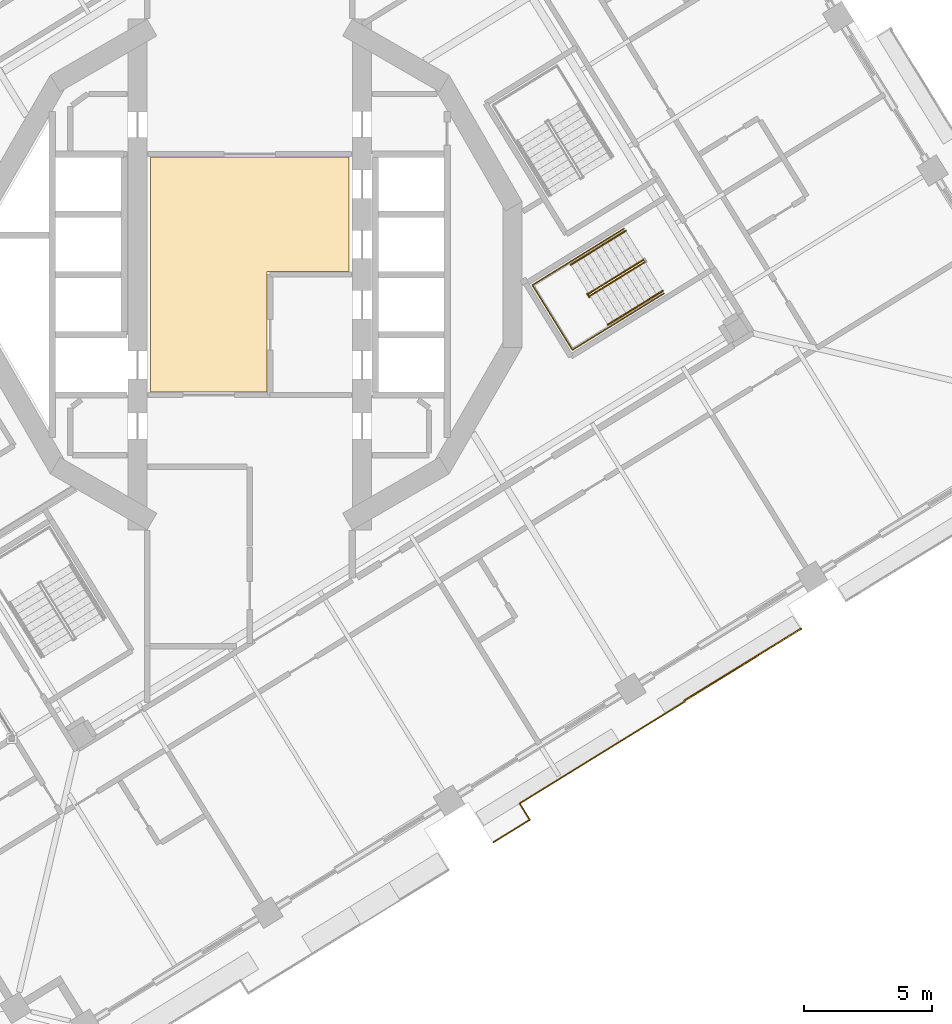
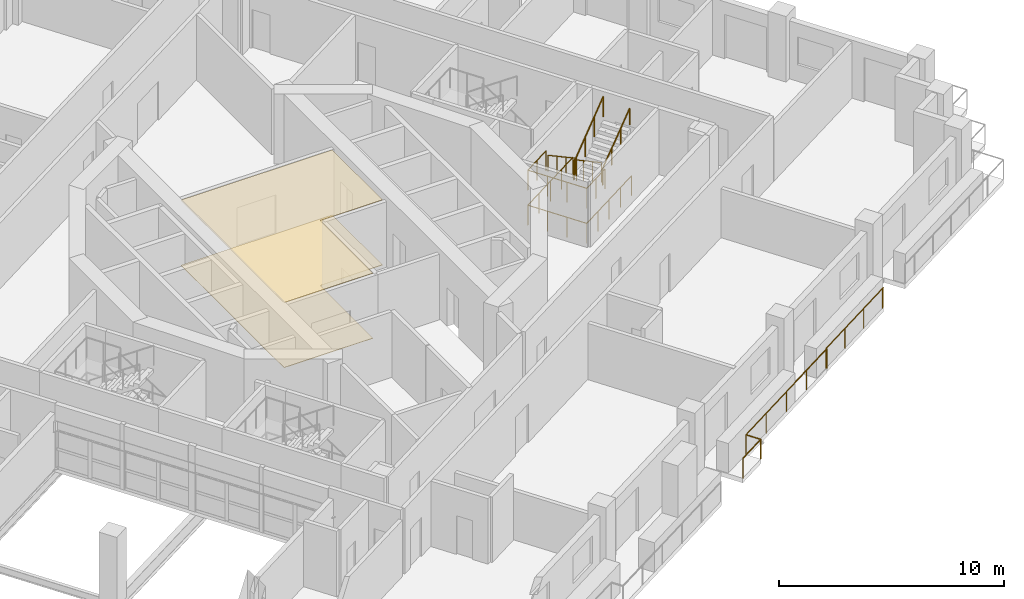
# One storey, part 17 of 22: 8 railings, 2 coverings.
"""IFC4 building model written with IfcOpenShell, lengths in metres."""

from ifc_helpers import new_model, si_unit, direction, frame, origin, origin_2d, place, context, subcontext, project, spatial, polyline, circle, outline, extrude, material, layer, layer_set, type_object, element, save


model = new_model("IFC4")

# Units and contexts
model_context = context("Model", 3, precision=1e-05, world=origin(), true_north=direction((0.0, 1.0)))
body_context = subcontext(model_context, "Body", "Model", "MODEL_VIEW")
ifc_project = project(units=[si_unit("LENGTHUNIT", "METRE"), si_unit("AREAUNIT", "SQUARE_METRE"), si_unit("VOLUMEUNIT", "CUBIC_METRE"), si_unit("PLANEANGLEUNIT", "RADIAN"), si_unit("MASSUNIT", "GRAM", prefix="KILO")], contexts=[model_context])

# Site, building, storey
site_placement = place(None, origin())
site = spatial("IfcSite", under=ifc_project, at=site_placement, CompositionType="ELEMENT")
building_placement = place(site_placement, origin())
building = spatial("IfcBuilding", under=site, at=building_placement, Name="Cantera Rosa Tower", CompositionType="ELEMENT")
storey_placement = place(building_placement, frame((0.0, 0.0, 166.60009765625)))
storey = spatial("IfcBuildingStorey", under=building, at=storey_placement, Name="L36", CompositionType="ELEMENT", Elevation=166.60009765625)

# Railings
ifc_material_1 = material(Name="Stainless steel and laminated glass", Category="steel")
railing_type_1 = type_object("IfcRailingType", Name="GUARD 1100", PredefinedType="BALUSTRADE", material=ifc_material_1)
railing_1_placement = place(storey_placement, frame((16.9736328125, -16.659912109375, 0.0)))
element("IfcRailing", 1, at=railing_1_placement, inside=storey, type_object=railing_type_1, Name="GUARD L36-8", PredefinedType="BALUSTRADE", context=body_context, shape_type="SweptSolid", body=[
    extrude(circle(Radius=0.030029296875, at=origin_2d()), frame((0.0, 0.0, 1.070068359375), z_axis=(-0.851125237565, -0.524962693893, 0.0), x_axis=(0.524962693893, -0.851125237565, 0.0)), (0.0, 0.0, 1.0), 7.56982421875),
    extrude(circle(Radius=0.030029296875, at=origin_2d()), frame((-6.44287109375, -3.973876953125, 1.070068359375), z_axis=(0.525077247335, -0.851054571888, 0.0), x_axis=(0.851054571888, 0.525077247335, 0.0)), (0.0, 0.0, 1.0), 0.75048828125),
    extrude(circle(Radius=0.030029296875, at=origin_2d()), frame((-6.048828125, -4.612548828125, 1.070068359375), z_axis=(-0.851097514254, -0.525007639212, 0.0), x_axis=(0.525007639212, -0.851097514254, 0.0)), (0.0, 0.0, 1.0), 1.66064453125),
    extrude(circle(Radius=0.02490234375, at=origin_2d()), origin(), (0.0, 0.0, 1.0), 1.0400390625),
    extrude(circle(Radius=0.02490234375, at=origin_2d()), frame((-1.61083984375, -0.993408203125, 0.0)), (0.0, 0.0, 1.0), 1.0400390625),
    extrude(circle(Radius=0.02490234375, at=origin_2d()), frame((-3.221435546875, -1.98681640625, 0.0)), (0.0, 0.0, 1.0), 1.0400390625),
    extrude(circle(Radius=0.02490234375, at=origin_2d()), frame((-4.83203125, -2.98046875, 0.0)), (0.0, 0.0, 1.0), 1.0400390625),
    extrude(circle(Radius=0.02490234375, at=origin_2d()), frame((-6.44287109375, -3.973876953125, 0.0)), (0.0, 0.0, 1.0), 1.0400390625),
    extrude(circle(Radius=0.02490234375, at=origin_2d()), frame((-6.048828125, -4.612548828125, 0.0)), (0.0, 0.0, 1.0), 1.0400390625),
    extrude(circle(Radius=0.02490234375, at=origin_2d()), frame((-7.462158203125, -5.484375, 0.0)), (0.0, 0.0, 1.0), 1.0400390625),
])
railing_2_placement = place(storey_placement, frame((21.505615234375, -13.817138671875, 0.0)))
element("IfcRailing", 2, at=railing_2_placement, inside=storey, type_object=railing_type_1, Name="GUARD L36-9", PredefinedType="BALUSTRADE", context=body_context, shape_type="SweptSolid", body=[
    extrude(circle(Radius=0.030029296875, at=origin_2d()), frame((0.0, 0.0, 1.070068359375), z_axis=(-0.850339408664, -0.52623463405, 0.0), x_axis=(0.52623463405, -0.850339408664, 0.0)), (0.0, 0.0, 1.0), 0.070068359375),
    extrude(circle(Radius=0.030029296875, at=origin_2d()), frame((-0.0595703125, -0.036865234375, 1.070068359375), z_axis=(-0.851116462586, -0.524976920555, 0.0), x_axis=(0.524976920555, -0.851116462586, 0.0)), (0.0, 0.0, 1.0), 5.27978515625),
    extrude(circle(Radius=0.030029296875, at=origin_2d()), frame((-4.55322265625, -2.80859375, 1.070068359375), z_axis=(0.527815847616, -0.849358835243, 0.0), x_axis=(0.849358835243, 0.527815847616, 0.0)), (0.0, 0.0, 1.0), 0.040283203125),
    extrude(circle(Radius=0.02490234375, at=origin_2d()), origin(), (0.0, 0.0, 1.0), 1.0400390625),
    extrude(circle(Radius=0.02490234375, at=origin_2d()), frame((-0.0595703125, -0.036865234375, 0.0)), (0.0, 0.0, 1.0), 1.0400390625),
    extrude(circle(Radius=0.02490234375, at=origin_2d()), frame((-1.557373046875, -0.960693359375, 0.0)), (0.0, 0.0, 1.0), 1.0400390625),
    extrude(circle(Radius=0.02490234375, at=origin_2d()), frame((-3.055419921875, -1.884765625, 0.0)), (0.0, 0.0, 1.0), 1.0400390625),
    extrude(circle(Radius=0.02490234375, at=origin_2d()), frame((-4.55322265625, -2.80859375, 0.0)), (0.0, 0.0, 1.0), 1.0400390625),
    extrude(circle(Radius=0.02490234375, at=origin_2d()), frame((-4.531982421875, -2.8427734375, 0.0)), (0.0, 0.0, 1.0), 1.0400390625),
])
ifc_material_2 = material(Name="Steel S355J2 (EN 10025-2)", Category="steel")
railing_type_2 = type_object("IfcRailingType", Name="STAIR GUARD 1100", PredefinedType="GUARDRAIL", material=ifc_material_2)
railing_3_placement = place(storey_placement, frame((15.36572265625, 0.57666015625, 0.18994140625)))
element("IfcRailing", 3, at=railing_3_placement, inside=storey, type_object=railing_type_2, Name="L36 ST-34 stair guard 1", PredefinedType="GUARDRAIL", context=body_context, shape_type="SweptSolid", body=[
    extrude(circle(Radius=0.02392578125, at=origin_2d()), frame((0.0, 0.0, 1.076171875), z_axis=(-0.704271375033, -0.434427613125, 0.561493080334), x_axis=(0.524999832248, -0.851102330005, 0.0)), (0.0, 0.0, 1.0), 3.04541015625),
    extrude(circle(Radius=0.02392578125, at=origin_2d()), frame((-2.144775390625, -1.322998046875, 2.7861328125), z_axis=(-0.997279572494, -0.073711968402, 0.0), x_axis=(0.073711968402, -0.997279572494, 0.0)), (0.0, 0.0, 1.0), 0.056396484375),
    extrude(circle(Radius=0.02392578125, at=origin_2d()), frame((-2.200927734375, -1.3271484375, 2.7861328125), z_axis=(0.525458245725, -0.850819388589, 0.0), x_axis=(0.850819388589, 0.525458245725, 0.0)), (0.0, 0.0, 1.0), 0.150146484375),
    extrude(circle(Radius=0.02099609375, at=origin_2d()), origin(), (0.0, 0.0, 1.0), 1.052001953125),
    extrude(circle(Radius=0.02099609375, at=origin_2d()), frame((-0.71484375, -0.44091796875, 0.570068359375)), (0.0, 0.0, 1.0), 1.052001953125),
    extrude(circle(Radius=0.02099609375, at=origin_2d()), frame((-1.429931640625, -0.882080078125, 1.139892578125)), (0.0, 0.0, 1.0), 1.052001953125),
    extrude(circle(Radius=0.02099609375, at=origin_2d()), frame((-2.144775390625, -1.322998046875, 1.7099609375)), (0.0, 0.0, 1.0), 1.052001953125),
    extrude(circle(Radius=0.02099609375, at=origin_2d()), frame((-2.200927734375, -1.3271484375, 1.7099609375)), (0.0, 0.0, 1.0), 1.052001953125),
    extrude(circle(Radius=0.02099609375, at=origin_2d()), frame((-2.1220703125, -1.454833984375, 1.7099609375)), (0.0, 0.0, 1.0), 1.052001953125),
])
railing_4_placement = place(storey_placement, frame((13.2724609375, -0.82958984375, 2.08984375)))
element("IfcRailing", 4, at=railing_4_placement, inside=storey, type_object=railing_type_2, Name="L36 ST-34 stair guard 2", PredefinedType="GUARDRAIL", context=body_context, shape_type="SweptSolid", body=[
    extrude(circle(Radius=0.02392578125, at=origin_2d()), frame((0.0, 0.0, 1.076171875), z_axis=(0.70429590169, 0.434362572038, 0.561512634654), x_axis=(-0.524929648476, 0.851145618652, 0.0)), (0.0, 0.0, 1.0), 3.045166015625),
    extrude(circle(Radius=0.02099609375, at=origin_2d()), origin(), (0.0, 0.0, 1.0), 1.052001953125),
    extrude(circle(Radius=0.02099609375, at=origin_2d()), frame((0.71484375, 0.44091796875, 0.570068359375)), (0.0, 0.0, 1.0), 1.052001953125),
    extrude(circle(Radius=0.02099609375, at=origin_2d()), frame((1.429931640625, 0.8818359375, 1.139892578125)), (0.0, 0.0, 1.0), 1.052001953125),
    extrude(circle(Radius=0.02099609375, at=origin_2d()), frame((2.144775390625, 1.32275390625, 1.7099609375)), (0.0, 0.0, 1.0), 1.052001953125),
])
railing_5_placement = place(storey_placement, frame((14.601806640625, 1.79248046875, 0.0)))
element("IfcRailing", 5, at=railing_5_placement, inside=storey, type_object=railing_type_2, Name="L36 ST-34 stair guard 4", PredefinedType="GUARDRAIL", context=body_context, shape_type="SweptSolid", body=[
    extrude(circle(Radius=0.02392578125, at=origin_2d()), frame((0.0, 0.0, 1.076171875), z_axis=(-0.851116735059, -0.524976478809, 0.0), x_axis=(0.524976478809, -0.851116735059, 0.0)), (0.0, 0.0, 1.0), 4.197998046875),
    extrude(circle(Radius=0.02392578125, at=origin_2d()), frame((-3.572998046875, -2.203857421875, 1.076171875), z_axis=(0.524950242429, -0.851132917336, 0.0), x_axis=(0.851132917336, 0.524950242429, 0.0)), (0.0, 0.0, 1.0), 2.969970703125),
    extrude(circle(Radius=0.02392578125, at=origin_2d()), frame((-2.013916015625, -4.731689453125, 1.076171875), z_axis=(0.851116735059, 0.524976478809, 0.0), x_axis=(-0.524976478809, 0.851116735059, 0.0)), (0.0, 0.0, 1.0), 4.197998046875),
    extrude(circle(Radius=0.02099609375, at=origin_2d()), origin(), (0.0, 0.0, 1.0), 1.052001953125),
    extrude(circle(Radius=0.02099609375, at=origin_2d()), frame((-0.893310546875, -0.551025390625, 0.0)), (0.0, 0.0, 1.0), 1.052001953125),
    extrude(circle(Radius=0.02099609375, at=origin_2d()), frame((-1.78662109375, -1.10205078125, 0.0)), (0.0, 0.0, 1.0), 1.052001953125),
    extrude(circle(Radius=0.02099609375, at=origin_2d()), frame((-2.6796875, -1.65283203125, 0.0)), (0.0, 0.0, 1.0), 1.052001953125),
    extrude(circle(Radius=0.02099609375, at=origin_2d()), frame((-3.572998046875, -2.203857421875, 0.0)), (0.0, 0.0, 1.0), 1.052001953125),
    extrude(circle(Radius=0.02099609375, at=origin_2d()), frame((-3.05322265625, -3.04638671875, 0.0)), (0.0, 0.0, 1.0), 1.052001953125),
    extrude(circle(Radius=0.02099609375, at=origin_2d()), frame((-2.53369140625, -3.88916015625, 0.0)), (0.0, 0.0, 1.0), 1.052001953125),
    extrude(circle(Radius=0.02099609375, at=origin_2d()), frame((-2.013916015625, -4.731689453125, 0.0)), (0.0, 0.0, 1.0), 1.052001953125),
    extrude(circle(Radius=0.02099609375, at=origin_2d()), frame((-1.12060546875, -4.1806640625, 0.0)), (0.0, 0.0, 1.0), 1.052001953125),
    extrude(circle(Radius=0.02099609375, at=origin_2d()), frame((-0.2275390625, -3.6298828125, 0.0)), (0.0, 0.0, 1.0), 1.052001953125),
    extrude(circle(Radius=0.02099609375, at=origin_2d()), frame((0.665771484375, -3.078857421875, 0.0)), (0.0, 0.0, 1.0), 1.052001953125),
    extrude(circle(Radius=0.02099609375, at=origin_2d()), frame((1.55908203125, -2.52783203125, 0.0)), (0.0, 0.0, 1.0), 1.052001953125),
])
railing_6_placement = place(storey_placement, frame((12.477294921875, 0.482177734375, 1.89990234375)))
element("IfcRailing", 6, at=railing_6_placement, inside=storey, type_object=railing_type_2, Name="L36 ST-34 stair guard 5", PredefinedType="GUARDRAIL", context=body_context, shape_type="SweptSolid", body=[
    extrude(circle(Radius=0.02392578125, at=origin_2d()), frame((0.0, 0.0, 1.076171875), z_axis=(-0.851086474909, -0.525025534833, 0.0), x_axis=(0.525025534833, -0.851086474909, 0.0)), (0.0, 0.0, 1.0), 1.701904296875),
    extrude(circle(Radius=0.02392578125, at=origin_2d()), frame((-1.448486328125, -0.8935546875, 1.076171875), z_axis=(0.524950242429, -0.851132917336, 0.0), x_axis=(0.851132917336, 0.524950242429, 0.0)), (0.0, 0.0, 1.0), 2.969970703125),
    extrude(circle(Radius=0.02392578125, at=origin_2d()), frame((0.110595703125, -3.42138671875, 1.076171875), z_axis=(0.851126009811, 0.524961441845, 0.0), x_axis=(-0.524961441845, 0.851126009811, 0.0)), (0.0, 0.0, 1.0), 1.7021484375),
    extrude(circle(Radius=0.02099609375, at=origin_2d()), origin(), (0.0, 0.0, 1.0), 1.052001953125),
    extrude(circle(Radius=0.02099609375, at=origin_2d()), frame((-0.72412109375, -0.44677734375, 0.0)), (0.0, 0.0, 1.0), 1.052001953125),
    extrude(circle(Radius=0.02099609375, at=origin_2d()), frame((-1.448486328125, -0.8935546875, 0.0)), (0.0, 0.0, 1.0), 1.052001953125),
    extrude(circle(Radius=0.02099609375, at=origin_2d()), frame((-0.9287109375, -1.736083984375, 0.0)), (0.0, 0.0, 1.0), 1.052001953125),
    extrude(circle(Radius=0.02099609375, at=origin_2d()), frame((-0.4091796875, -2.578857421875, 0.0)), (0.0, 0.0, 1.0), 1.052001953125),
    extrude(circle(Radius=0.02099609375, at=origin_2d()), frame((0.110595703125, -3.42138671875, 0.0)), (0.0, 0.0, 1.0), 1.052001953125),
    extrude(circle(Radius=0.02099609375, at=origin_2d()), frame((0.8349609375, -2.974609375, 0.0)), (0.0, 0.0, 1.0), 1.052001953125),
    extrude(circle(Radius=0.02099609375, at=origin_2d()), frame((1.559326171875, -2.52783203125, 0.0)), (0.0, 0.0, 1.0), 1.052001953125),
])
ifc_material_3 = material(Name="Steel S355J2 (EN 10025-2)", Category="steel")
railing_type_3 = type_object("IfcRailingType", Name="STAIR HANDRAIL 900", PredefinedType="HANDRAIL", material=ifc_material_3)
railing_7_placement = place(storey_placement, frame((14.669677734375, 1.705322265625, 0.18994140625)))
element("IfcRailing", 7, at=railing_7_placement, inside=storey, type_object=railing_type_3, Name="L36 ST-34 stair handrail 1", PredefinedType="HANDRAIL", context=body_context, shape_type="SweptSolid", body=[
    extrude(circle(Radius=0.02392578125, at=origin_2d()), frame((0.0, 0.0, 0.8759765625), z_axis=(-0.704271375033, -0.434427613125, 0.561493080334), x_axis=(0.524999832248, -0.851102330005, 0.0)), (0.0, 0.0, 1.0), 3.04541015625),
    extrude(circle(Radius=0.02099609375, at=origin_2d()), origin(), (0.0, 0.0, 1.0), 0.851806640625),
    extrude(circle(Radius=0.02099609375, at=origin_2d()), frame((-0.71484375, -0.44091796875, 0.570068359375)), (0.0, 0.0, 1.0), 0.851806640625),
    extrude(circle(Radius=0.02099609375, at=origin_2d()), frame((-1.429931640625, -0.882080078125, 1.139892578125)), (0.0, 0.0, 1.0), 0.851806640625),
    extrude(circle(Radius=0.02099609375, at=origin_2d()), frame((-2.144775390625, -1.322998046875, 1.7099609375)), (0.0, 0.0, 1.0), 0.851806640625),
])
railing_8_placement = place(storey_placement, frame((13.968505859375, -1.958251953125, 2.08984375)))
element("IfcRailing", 8, at=railing_8_placement, inside=storey, type_object=railing_type_3, Name="L36 ST-34 stair handrail 2", PredefinedType="HANDRAIL", context=body_context, shape_type="SweptSolid", body=[
    extrude(circle(Radius=0.02392578125, at=origin_2d()), frame((0.0, 0.0, 0.8759765625), z_axis=(0.704311776172, 0.434403086168, 0.561461379502), x_axis=(-0.524956545799, 0.851129029597, 0.0)), (0.0, 0.0, 1.0), 3.045654296875),
    extrude(circle(Radius=0.02099609375, at=origin_2d()), origin(), (0.0, 0.0, 1.0), 0.851806640625),
    extrude(circle(Radius=0.02099609375, at=origin_2d()), frame((0.715087890625, 0.44091796875, 0.570068359375)), (0.0, 0.0, 1.0), 0.851806640625),
    extrude(circle(Radius=0.02099609375, at=origin_2d()), frame((1.429931640625, 0.882080078125, 1.139892578125)), (0.0, 0.0, 1.0), 0.851806640625),
    extrude(circle(Radius=0.02099609375, at=origin_2d()), frame((2.14501953125, 1.322998046875, 1.7099609375)), (0.0, 0.0, 1.0), 0.851806640625),
])

# Coverings
ifc_material_4 = material(Name="Limestone paving", Category="masonry")
ifc_layer_1 = layer(ifc_material_4, 0.02490234375)
ifc_layer_set_1 = layer_set([ifc_layer_1], Name="STONE FLOOR FINISH 25")
covering_type_1 = type_object("IfcCoveringType", Name="STONE FLOOR FINISH 25", PredefinedType="FLOORING", material=ifc_layer_set_1)
covering_1_placement = place(storey_placement, origin())
element("IfcCovering", 9, at=covering_1_placement, inside=storey, type_object=covering_type_1, Name="STONE FLOOR FINISH L36", PredefinedType="FLOORING", context=body_context, shape_type="SweptSolid", body=[
    extrude(outline(polyline([(3.8798828125, 4.580078125), (3.8798828125, 0.1201171875), (0.679931640625, 0.1201171875), (0.679931640625, -4.580078125), (-3.8798828125, -4.580078125), (-3.8798828125, 4.580078125), (3.8798828125, 4.580078125)])), origin(), (0.0, 0.0, 1.0), 0.02490234375),
])
ifc_material_5 = material(Name="Gypsum ceiling tile")
ifc_layer_2 = layer(ifc_material_5, 0.030029296875)
ifc_layer_set_2 = layer_set([ifc_layer_2], Name="SUSPENDED CEILING 30")
covering_type_2 = type_object("IfcCoveringType", Name="SUSPENDED CEILING 30", PredefinedType="CEILING", material=ifc_layer_set_2)
covering_2_placement = place(storey_placement, frame((0.0, 0.0, 3.52001953125)))
element("IfcCovering", 10, at=covering_2_placement, inside=storey, type_object=covering_type_2, Name="SUSPENDED CEILING L36", PredefinedType="CEILING", context=body_context, shape_type="SweptSolid", body=[
    extrude(outline(polyline([(3.8798828125, 4.580078125), (3.8798828125, 0.1201171875), (0.679931640625, 0.1201171875), (0.679931640625, -4.580078125), (-3.8798828125, -4.580078125), (-3.8798828125, 4.580078125), (3.8798828125, 4.580078125)])), origin(), (0.0, 0.0, 1.0), 0.02978515625),
])

save(model, "model.ifc")
